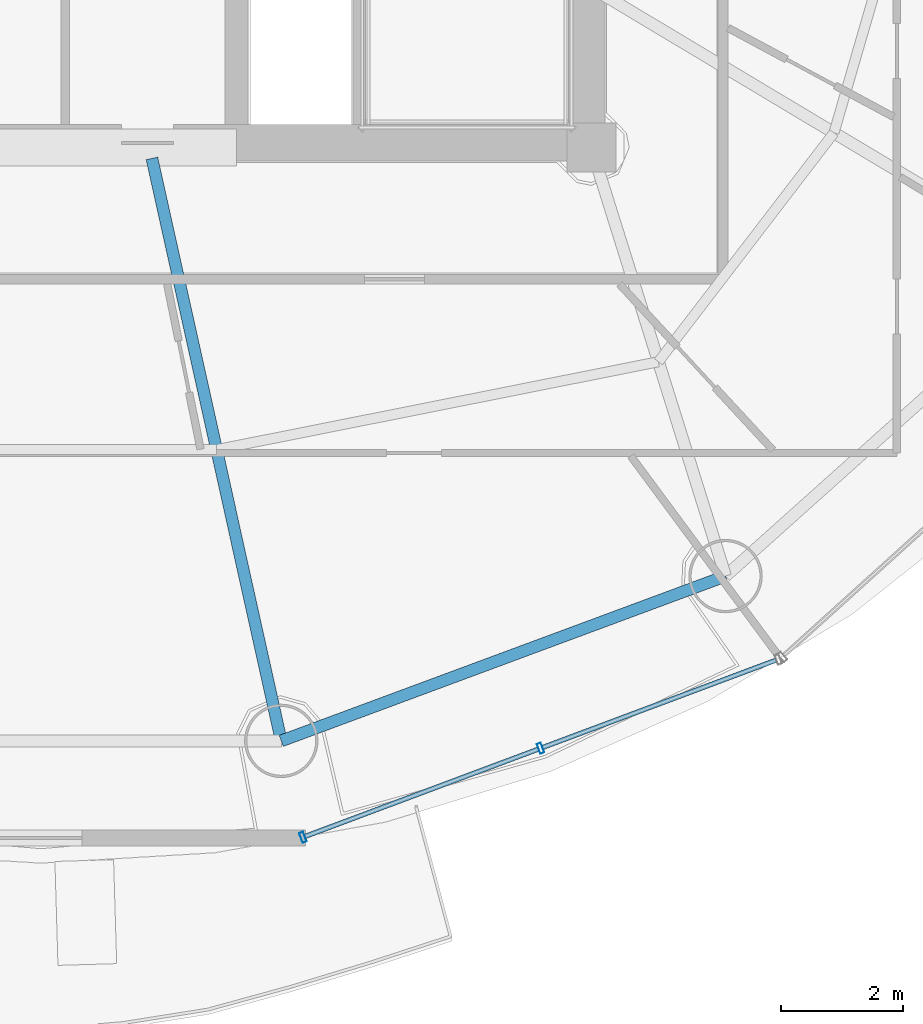
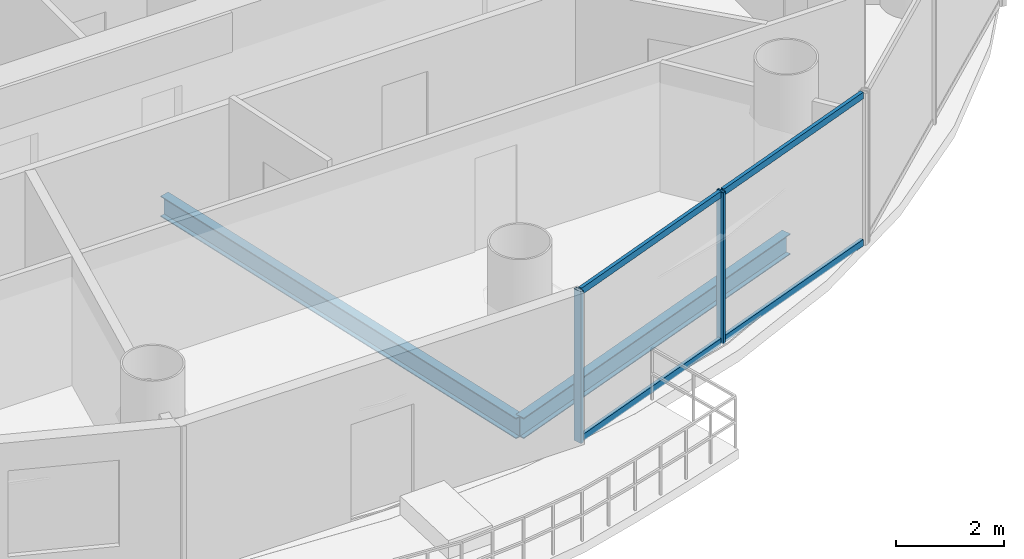
# One storey, part 5 of 26: 6 members, 2 beams, 1 element without a shape of its own.
"""IFC4 building model written with IfcOpenShell, lengths in metres."""

import ifcopenshell
import ifcopenshell.guid

model = None  # the IFC model being written
_history = None  # IfcOwnerHistory: only IFC2X3 demands one
_inside = {}  # id of a spatial element -> (the spatial element, [elements in it])
_under = {}  # id of a project, library or spatial element -> (it, [spatial elements below it])
_declared = {}  # id of a project -> (the project, [libraries it declares])
_typed = {}  # id of a type object -> (the type object, [elements of that type])
_made_of = {}  # id of a material, layer set ... -> (it, [elements and type objects made of it])


def new_model(schema):
    """Start an empty IFC model of exactly this schema.

    Asked for "IFC4X3", IfcOpenShell would pick the latest addendum, in which some entities
    have other attributes; the version numbers below select the first issue.
    IFC2X3 requires an IfcOwnerHistory on every rooted entity: one is made here for all.
    """
    global model, _history
    if schema == "IFC4X3":
        model = ifcopenshell.file(schema_version=(4, 3, 0, 0))
    else:
        model = ifcopenshell.file(schema=schema)
    _inside.clear()
    _under.clear()
    _declared.clear()
    _typed.clear()
    _made_of.clear()
    _history = None
    if model.schema == "IFC2X3":
        org = make("IfcOrganization", Name="unknown")
        user = make(
            "IfcPersonAndOrganization",
            ThePerson=make("IfcPerson", FamilyName="unknown"),
            TheOrganization=org,
        )
        app = make(
            "IfcApplication",
            ApplicationDeveloper=org,
            Version="unknown",
            ApplicationFullName="unknown",
            ApplicationIdentifier="unknown",
        )
        _history = make(
            "IfcOwnerHistory",
            OwningUser=user,
            OwningApplication=app,
            ChangeAction="ADDED",
            CreationDate=0,
        )
    return model


def make(cls, **values):
    """One entity of the class cls with the attributes given. An attribute that is None is left unset."""
    return model.create_entity(
        cls, **{name: value for name, value in values.items() if value is not None}
    )


def rooted(cls, **values):
    """An entity with a GlobalId (a new one), such as an element, a storey or a relation."""
    return make(cls, GlobalId=ifcopenshell.guid.new(), OwnerHistory=_history, **values)


def si_unit(unit_type, name, prefix=None):
    """IfcSIUnit, for example si_unit("LENGTHUNIT", "METRE", prefix="MILLI")."""
    return make("IfcSIUnit", UnitType=unit_type, Prefix=prefix, Name=name)


def assignment(units):
    """IfcUnitAssignment: the units of a project."""
    return None if units is None else make("IfcUnitAssignment", Units=units)


def point(xyz):
    """IfcCartesianPoint."""
    return None if xyz is None else make("IfcCartesianPoint", Coordinates=xyz)


def direction(xyz):
    """IfcDirection."""
    return None if xyz is None else make("IfcDirection", DirectionRatios=xyz)


def frame(location, z_axis=None, x_axis=None):
    """IfcAxis2Placement3D, a coordinate frame: its origin and axes. An axis left out is left unset."""
    return make(
        "IfcAxis2Placement3D",
        Location=point(location),
        Axis=direction(z_axis),
        RefDirection=direction(x_axis),
    )


def frame_2d(location, x_axis=None):
    """IfcAxis2Placement2D, a coordinate frame in the plane: its origin and x axis."""
    return make(
        "IfcAxis2Placement2D", Location=point(location), RefDirection=direction(x_axis)
    )


def origin():
    """The frame at (0, 0, 0) with its axes left unset."""
    return frame((0.0, 0.0, 0.0))


def origin_2d():
    """The frame at (0, 0) in the plane with its x axis left unset."""
    return frame_2d((0.0, 0.0))


def place(relative_to, where):
    """IfcLocalPlacement: puts the frame where relative to a parent placement (None: the world)."""
    return make(
        "IfcLocalPlacement", PlacementRelTo=relative_to, RelativePlacement=where
    )


def context(
    kind, dimensions, precision=None, world=None, true_north=None, identifier=None
):
    """IfcGeometricRepresentationContext, for example the 3D "Model" context."""
    return make(
        "IfcGeometricRepresentationContext",
        ContextIdentifier=identifier,
        ContextType=kind,
        CoordinateSpaceDimension=dimensions,
        Precision=precision,
        WorldCoordinateSystem=world,
        TrueNorth=true_north,
    )


def subcontext(parent, identifier, kind, view, scale=None):
    """IfcGeometricRepresentationSubContext, for example "Body" below "Model"."""
    return make(
        "IfcGeometricRepresentationSubContext",
        ContextIdentifier=identifier,
        ContextType=kind,
        ParentContext=parent,
        TargetScale=scale,
        TargetView=view,
    )


def project(units=None, contexts=None):
    """IfcProject with its units and contexts."""
    return rooted(
        "IfcProject",
        Name="project",
        RepresentationContexts=contexts,
        UnitsInContext=assignment(units),
    )


def spatial(cls, under=None, at=None, **own):
    """A site, building, storey or space (cls), placed at a placement, below another one or the project."""
    s = rooted(cls, ObjectPlacement=at, **own)
    if under is not None:
        _under.setdefault(under.id(), (under, []))[1].append(s)
    return s


def profile(cls, at=None, kind="AREA", **sizes):
    """A parametric profile (cls). Its sizes go by their IFC names, for example OverallWidth=200.0."""
    return make(cls, ProfileType=kind, Position=at, **sizes)


def hollow_rectangle(**sizes):
    """IfcRectangleHollowProfileDef."""
    return profile("IfcRectangleHollowProfileDef", **sizes)


def i_section(**sizes):
    """IfcIShapeProfileDef."""
    return profile("IfcIShapeProfileDef", **sizes)


def extrude(swept, where, along, depth):
    """IfcExtrudedAreaSolid: the profile swept, set in the frame where, extruded along a direction by depth."""
    return make(
        "IfcExtrudedAreaSolid",
        SweptArea=swept,
        Position=where,
        ExtrudedDirection=direction(along),
        Depth=depth,
    )


def shape(context_of_items, identifier, shape_type, items):
    """IfcShapeRepresentation: the items that make up one representation, for example the "Body"."""
    return make(
        "IfcShapeRepresentation",
        ContextOfItems=context_of_items,
        RepresentationIdentifier=identifier,
        RepresentationType=shape_type,
        Items=items,
    )


def source(mapping_origin, context_of_items, identifier, shape_type, items):
    """IfcRepresentationMap: a shape defined once, which mapped items show again and again."""
    return make(
        "IfcRepresentationMap",
        MappingOrigin=mapping_origin,
        MappedRepresentation=shape(context_of_items, identifier, shape_type, items),
    )


def transform(
    local_origin,
    x_axis=None,
    y_axis=None,
    z_axis=None,
    scale=None,
    scale2=None,
    scale3=None,
    uniform=True,
):
    """IfcCartesianTransformationOperator3D, or its non-uniform kind. x_axis, y_axis, z_axis: its Axis1, 2, 3."""
    if uniform:
        return make(
            "IfcCartesianTransformationOperator3D",
            Axis1=direction(x_axis),
            Axis2=direction(y_axis),
            LocalOrigin=point(local_origin),
            Scale=scale,
            Axis3=direction(z_axis),
        )
    return make(
        "IfcCartesianTransformationOperator3DnonUniform",
        Axis1=direction(x_axis),
        Axis2=direction(y_axis),
        LocalOrigin=point(local_origin),
        Scale=scale,
        Axis3=direction(z_axis),
        Scale2=scale2,
        Scale3=scale3,
    )


def mapped(mapping_source, mapping_target):
    """IfcMappedItem: shows the shape of a source again, moved by a transform."""
    return make(
        "IfcMappedItem", MappingSource=mapping_source, MappingTarget=mapping_target
    )


def material(Name=None, Category=None):
    """IfcMaterial."""
    return make("IfcMaterial", Name=Name, Category=Category)


def material_profile(
    of_material, cross_section, Name=None, Category=None, Priority=None
):
    """IfcMaterialProfile: a cross section and its material."""
    return make(
        "IfcMaterialProfile",
        Name=Name,
        Material=of_material,
        Profile=cross_section,
        Priority=Priority,
        Category=Category,
    )


def profile_set(profiles, Name=None, composite=None):
    """IfcMaterialProfileSet."""
    return make(
        "IfcMaterialProfileSet",
        Name=Name,
        MaterialProfiles=profiles,
        CompositeProfile=composite,
    )


def made_of(thing, what):
    """Note that an element or type object is made of a material, layer set ...; save() writes the relation."""
    if what is not None:
        _made_of.setdefault(what.id(), (what, []))[1].append(thing)
    return thing


def type_object(cls, material=None, **own):
    """A type object (cls), such as IfcWallType, which elements share."""
    return made_of(rooted(cls, **own), material)


def element(
    cls,
    number,
    at=None,
    inside=None,
    cuts=None,
    type_object=None,
    material=None,
    context=None,
    identifier="Body",
    shape_type=None,
    held_by="IfcProductDefinitionShape",
    body=None,
    shapes=None,
    **own,
):
    """One element of the class cls, such as IfcWall. Its Tag is "e" and its number.

    at: its placement. inside: the storey or other place that contains it. cuts: it is an
    opening in that element (IfcRelVoidsElement). A single representation is given by context,
    identifier, shape_type and body (its items); several are given by shapes. held_by: the class
    of the entity that holds the representations. save() writes the other relations.
    """
    e = rooted(cls, Tag="e%d" % number, ObjectPlacement=at, **own)
    if body is not None:
        shapes = [shape(context, identifier, shape_type, body)]
    if shapes is not None:
        e.Representation = make(held_by, Representations=shapes)
    if inside is not None:
        _inside.setdefault(inside.id(), (inside, []))[1].append(e)
    if cuts is not None:
        rooted(
            "IfcRelVoidsElement", RelatingBuildingElement=cuts, RelatedOpeningElement=e
        )
    if type_object is not None:
        _typed.setdefault(type_object.id(), (type_object, []))[1].append(e)
    return made_of(e, material)


def aggregate(whole, parts):
    """IfcRelAggregates: a whole, such as a stair, and the parts it consists of."""
    return rooted("IfcRelAggregates", RelatingObject=whole, RelatedObjects=parts)


def save(model, path):
    """Write the relations noted so far, then the file.

    IfcRelAggregates (storeys below a building ...), IfcRelContainedInSpatialStructure (elements
    in a storey), IfcRelDefinesByType, IfcRelAssociatesMaterial and IfcRelDeclares: one each for
    every whole, place, type object, material and project.
    """
    for whole, parts in _under.values():
        aggregate(whole, parts)
    for where, things in _inside.values():
        rooted(
            "IfcRelContainedInSpatialStructure",
            RelatedElements=things,
            RelatingStructure=where,
        )
    for kind, things in _typed.values():
        rooted("IfcRelDefinesByType", RelatedObjects=things, RelatingType=kind)
    for what, things in _made_of.values():
        rooted("IfcRelAssociatesMaterial", RelatedObjects=things, RelatingMaterial=what)
    for by, libraries in _declared.values():
        rooted("IfcRelDeclares", RelatingContext=by, RelatedDefinitions=libraries)
    model.write(path)


model = new_model("IFC4")

# Units and contexts
model_context = context("Model", 3, precision=1e-05, world=origin(), true_north=direction((-0.2419218956, 0.970295726276)))
body_context = subcontext(model_context, "Body", "Model", "MODEL_VIEW")
ifc_project = project(units=[si_unit("LENGTHUNIT", "METRE"), si_unit("AREAUNIT", "SQUARE_METRE"), si_unit("VOLUMEUNIT", "CUBIC_METRE"), si_unit("PLANEANGLEUNIT", "RADIAN"), si_unit("MASSUNIT", "GRAM", prefix="KILO")], contexts=[model_context])

# Site, building, storey
site_placement = place(None, origin())
site = spatial("IfcSite", under=ifc_project, at=site_placement, CompositionType="ELEMENT")
building_placement = place(site_placement, origin())
building = spatial("IfcBuilding", under=site, at=building_placement, Name="Cobrevalo Terracotta Tower", CompositionType="ELEMENT")
storey_placement = place(building_placement, frame((0.0, 0.0, 220.800048828125)))
storey = spatial("IfcBuildingStorey", under=building, at=storey_placement, Name="L58", CompositionType="ELEMENT", Elevation=220.800048828125)

# Beams
ifc_material_1 = material(Name="Steel S355", Category="steel")
ifc_material_profile_1 = material_profile(ifc_material_1, i_section(OverallWidth=0.194091796875, OverallDepth=0.468994140625, WebThickness=0.011474609375, FlangeThickness=0.0205078125, at=origin_2d()), Name="W 460x106")
ifc_profile_set_1 = profile_set([ifc_material_profile_1], Name="Steel S355")
beam_type_1 = type_object("IfcBeamType", Name="Structural Beam W 460x106 (Steel S355)", PredefinedType="BEAM", material=ifc_profile_set_1)
beam_1_placement = place(storey_placement, frame((41.93115234375, 9.096923828125, -0.49951171875), z_axis=(-0.216782061165, 0.976220025382, 0.0), x_axis=(-0.976220025382, -0.216782061165, 0.0)))
element("IfcBeam", 1, at=beam_1_placement, inside=storey, type_object=beam_type_1, Name="L58 radial floor girder 13", PredefinedType="BEAM", context=body_context, shape_type="SweptSolid", body=[
    extrude(i_section(OverallWidth=0.194091796875, OverallDepth=0.468994140625, WebThickness=0.011474609375, FlangeThickness=0.0205078125, at=origin_2d()), origin(), (0.0, 0.0, 1.0), 9.755126953125),
])
ifc_material_profile_2 = material_profile(ifc_material_1, i_section(OverallWidth=0.194091796875, OverallDepth=0.468994140625, WebThickness=0.011474609375, FlangeThickness=0.0205078125, at=origin_2d()), Name="W 460x106")
ifc_profile_set_2 = profile_set([ifc_material_profile_2], Name="Steel S355")
beam_type_2 = type_object("IfcBeamType", Name="Structural Spandrel W 460x106 (Steel S355)", PredefinedType="SPANDREL", material=ifc_profile_set_2)
beam_2_placement = place(storey_placement, frame((41.93115234375, 9.096923828125, -0.49951171875), z_axis=(0.937545996665, 0.347861328892, 0.0), x_axis=(-0.347861328892, 0.937545996665, 0.0)))
element("IfcBeam", 2, at=beam_2_placement, inside=storey, type_object=beam_type_2, Name="L58 perimeter ring spandrel 13", PredefinedType="SPANDREL", context=body_context, shape_type="SweptSolid", body=[
    extrude(i_section(OverallWidth=0.194091796875, OverallDepth=0.468994140625, WebThickness=0.011474609375, FlangeThickness=0.0205078125, at=origin_2d()), origin(), (0.0, 0.0, 1.0), 7.74755859375),
])

# Curtain wall, members
ifc_material_2 = material(Name="Anodized aluminium", Category="aluminium")
curtain_wall_type = type_object("IfcCurtainWallType", Name="Mid-tower high-wind unitised curtain wall CW-U2", PredefinedType="NOTDEFINED", material=ifc_material_2)
curtain_wall_placement = place(storey_placement, origin())
curtain_wall = element("IfcCurtainWall", 3, at=curtain_wall_placement, inside=storey, type_object=curtain_wall_type, Name="L58 curtain wall CW-L58-S13", PredefinedType="NOTDEFINED")
ifc_material_profile_3 = material_profile(ifc_material_2, hollow_rectangle(XDim=0.074951171875, YDim=0.14990234375, WallThickness=0.00439453125, at=origin_2d()), Name="CWT 75x150")
ifc_profile_set_3 = profile_set([ifc_material_profile_3], Name="Anodized aluminium")
member_type_1 = type_object("IfcMemberType", Name="Tower unitised aluminium transom 75x150", PredefinedType="USERDEFINED", material=ifc_profile_set_3)
shared_shape_1 = source(origin(), body_context, "Body", "SweptSolid", [
    extrude(hollow_rectangle(XDim=0.074951171875, YDim=0.14990234375, WallThickness=0.00439453125, at=origin_2d()), origin(), (0.0, 0.0, 1.0), 4.069580078125),
])
member_1_placement = place(storey_placement, frame((46.20849609375, 8.990478515625, 0.050048828125), z_axis=(0.936548420649, 0.350538237259, 0.0), x_axis=(-0.350538237259, 0.936548420649, 0.0)))
member_1 = element("IfcMember", 4, at=member_1_placement, type_object=member_type_1, Name="CW-L58-S13 transom B02-T1", ObjectType="TRANSOM", PredefinedType="USERDEFINED", context=body_context, shape_type="MappedRepresentation", body=[
    mapped(shared_shape_1, transform((0.0, 0.0, 0.0), scale=1.0)),
])
member_2_placement = place(storey_placement, frame((46.20849609375, 8.990478515625, 3.385009765625), z_axis=(0.936548420649, 0.350538237259, 0.0), x_axis=(-0.350538237259, 0.936548420649, 0.0)))
member_2 = element("IfcMember", 5, at=member_2_placement, type_object=member_type_1, Name="CW-L58-S13 transom B02-T2", ObjectType="TRANSOM", PredefinedType="USERDEFINED", context=body_context, shape_type="MappedRepresentation", body=[
    mapped(shared_shape_1, transform((0.0, 0.0, 0.0), scale=1.0)),
])
shared_shape_2 = source(origin(), body_context, "Body", "SweptSolid", [
    extrude(hollow_rectangle(XDim=0.074951171875, YDim=0.14990234375, WallThickness=0.00439453125, at=origin_2d()), origin(), (0.0, 0.0, 1.0), 4.06982421875),
])
member_3_placement = place(storey_placement, frame((42.322021484375, 7.535888671875, 0.050048828125), z_axis=(0.936555791772, 0.350518542873, 0.0), x_axis=(-0.350518542873, 0.936555791772, 0.0)))
member_3 = element("IfcMember", 6, at=member_3_placement, type_object=member_type_1, Name="CW-L58-S13 transom B01-T1", ObjectType="TRANSOM", PredefinedType="USERDEFINED", context=body_context, shape_type="MappedRepresentation", body=[
    mapped(shared_shape_2, transform((0.0, 0.0, 0.0), scale=1.0)),
])
member_4_placement = place(storey_placement, frame((42.322021484375, 7.535888671875, 3.385009765625), z_axis=(0.936555791772, 0.350518542873, 0.0), x_axis=(-0.350518542873, 0.936555791772, 0.0)))
member_4 = element("IfcMember", 7, at=member_4_placement, type_object=member_type_1, Name="CW-L58-S13 transom B01-T2", ObjectType="TRANSOM", PredefinedType="USERDEFINED", context=body_context, shape_type="MappedRepresentation", body=[
    mapped(shared_shape_2, transform((0.0, 0.0, 0.0), scale=1.0)),
])
ifc_material_profile_4 = material_profile(ifc_material_2, hollow_rectangle(XDim=0.070068359375, YDim=0.169921875, WallThickness=0.00439453125, at=origin_2d()), Name="CWM 70x170")
ifc_profile_set_4 = profile_set([ifc_material_profile_4], Name="Anodized aluminium")
member_type_2 = type_object("IfcMemberType", Name="Upper tower unitised mullion 70x170", PredefinedType="MULLION", material=ifc_profile_set_4)
shared_shape_3 = source(origin(), body_context, "Body", "SweptSolid", [
    extrude(hollow_rectangle(XDim=0.070068359375, YDim=0.169921875, WallThickness=0.00439453125, at=origin_2d()), origin(), (0.0, 0.0, 1.0), 3.43505859375),
])
member_5_placement = place(storey_placement, frame((42.28466796875, 7.52197265625, 0.0), z_axis=(0.0, 0.0, 1.0), x_axis=(0.936556004584, 0.350517974259, 0.0)))
member_5 = element("IfcMember", 8, at=member_5_placement, type_object=member_type_2, Name="CW-L58-S13 vertical mullion 01", PredefinedType="MULLION", context=body_context, shape_type="MappedRepresentation", body=[
    mapped(shared_shape_3, transform((0.0, 0.0, 0.0), scale=1.0)),
])
member_6_placement = place(storey_placement, frame((46.1708984375, 8.9765625, 0.0), z_axis=(0.0, 0.0, 1.0), x_axis=(0.936556004584, 0.350517974259, 0.0)))
member_6 = element("IfcMember", 9, at=member_6_placement, type_object=member_type_2, Name="CW-L58-S13 vertical mullion 02", PredefinedType="MULLION", context=body_context, shape_type="MappedRepresentation", body=[
    mapped(shared_shape_3, transform((0.0, 0.0, 0.0), scale=1.0)),
])
aggregate(curtain_wall, [member_5, member_6, member_3, member_4, member_1, member_2])

save(model, "model.ifc")
